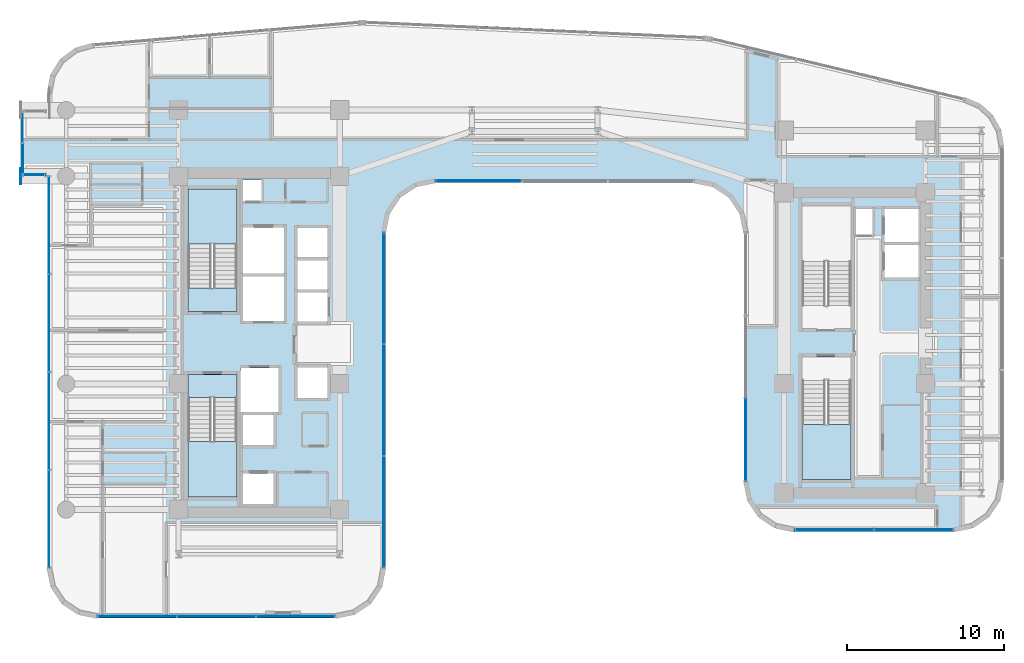
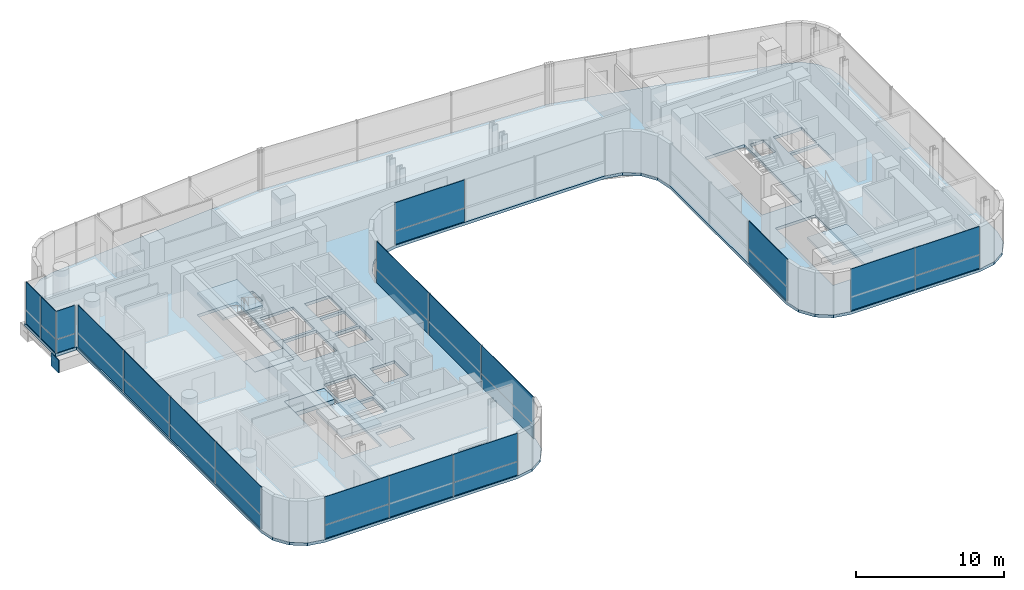
# One storey, part 25 of 35: 29 plates, 6 slabs, 11 elements without a shape of their own.
"""IFC4 building model written with IfcOpenShell, lengths in metres."""

from ifc_helpers import new_model, si_unit, direction, frame, origin, origin_2d, place, context, subcontext, project, spatial, polyline, rectangle, outline, extrude, source, transform, mapped, material, layer, layer_set, type_object, element, aggregate, save


model = new_model("IFC4")

# Units and contexts
model_context = context("Model", 3, precision=1e-05, world=origin(), true_north=direction((0.0, 1.0)))
body_context = subcontext(model_context, "Body", "Model", "MODEL_VIEW")
ifc_project = project(units=[si_unit("LENGTHUNIT", "METRE"), si_unit("AREAUNIT", "SQUARE_METRE"), si_unit("VOLUMEUNIT", "CUBIC_METRE"), si_unit("PLANEANGLEUNIT", "RADIAN"), si_unit("MASSUNIT", "GRAM", prefix="KILO")], contexts=[model_context])

# Site, building, storey
site_placement = place(None, origin())
site = spatial("IfcSite", under=ifc_project, at=site_placement, CompositionType="ELEMENT")
building_placement = place(site_placement, origin())
building = spatial("IfcBuilding", under=site, at=building_placement, Name="Valdorenza Pilgrim Sanctuary Tower", CompositionType="ELEMENT")
storey_placement = place(building_placement, frame((0.0, 0.0, 150.10009765625)))
storey = spatial("IfcBuildingStorey", under=building, at=storey_placement, Name="L38", CompositionType="ELEMENT", Elevation=150.10009765625)

# Slab
ifc_material_1 = material(Name="Concrete C40/50", Category="concrete")
ifc_layer_1 = layer(ifc_material_1, 0.239990234375, Name="Concrete C40/50")
ifc_layer_set_1 = layer_set([ifc_layer_1], Name="Concrete C40/50")
slab_type_1 = type_object("IfcSlabType", Name="SLAB-FLR-220", PredefinedType="FLOOR", material=ifc_layer_set_1)
slab_1_placement = place(storey_placement, frame((0.0, 0.0, -0.239990234375)))
element("IfcSlab", 1, at=slab_1_placement, inside=storey, type_object=slab_type_1, Name="L38 Structural Floor Slab 1", PredefinedType="FLOOR", context=body_context, shape_type="SweptSolid", body=[
    extrude(outline(polyline([(-30.78173828125, 17.022216796875), (-30.156494140625, 18.025390625), (-29.2099609375, 18.733154296875), (-28.071044921875, 19.049072265625), (-11.2080078125, 20.482421875), (-11.10400390625, 20.489501953125), (-10.895751953125, 20.49365234375), (10.6962890625, 19.513916015625), (10.847412109375, 19.50341796875), (10.998046875, 19.485595703125), (11.147705078125, 19.4609375), (11.2958984375, 19.42919921875), (27.344970703125, 15.587646484375), (28.323974609375, 15.17138671875), (29.1123046875, 14.45751953125), (29.623291015625, 13.5244140625), (29.800048828125, 12.4755859375), (29.800048828125, -8.800048828125), (29.556396484375, -10.024658203125), (28.86279296875, -11.062744140625), (27.82470703125, -11.75634765625), (26.60009765625, -12.0), (16.5, -12.0), (15.275390625, -11.75634765625), (14.2373046875, -11.062744140625), (13.543701171875, -10.024658203125), (13.300048828125, -8.800048828125), (13.300048828125, 7.0), (13.056396484375, 8.224609375), (12.36279296875, 9.2626953125), (11.32470703125, 9.956298828125), (10.10009765625, 10.199951171875), (-6.300048828125, 10.199951171875), (-7.524658203125, 9.956298828125), (-8.562744140625, 9.2626953125), (-9.25634765625, 8.224609375), (-9.5, 7.0), (-9.5, -14.300048828125), (-9.74365234375, -15.524658203125), (-10.437255859375, -16.562744140625), (-11.475341796875, -17.25634765625), (-12.699951171875, -17.5), (-27.800048828125, -17.5), (-29.024658203125, -17.25634765625), (-30.062744140625, -16.562744140625), (-30.75634765625, -15.524658203125), (-31.0, -14.300048828125), (-31.0, 10.60009765625), (-32.64990234375, 10.60009765625), (-32.64990234375, 14.800048828125), (-31.0, 14.800048828125), (-31.0, 15.860595703125), (-30.78173828125, 17.022216796875)]), holes=[polyline([(-16.60009765625, -10.25), (-16.60009765625, -8.300048828125), (-18.550048828125, -8.300048828125), (-18.550048828125, -10.25), (-16.60009765625, -10.25)]), polyline([(-22.050048828125, -9.800048828125), (-18.93994140625, -9.800048828125), (-18.93994140625, -3.485107421875), (-18.93994140625, -2.0), (-22.050048828125, -2.0), (-22.050048828125, -3.485107421875), (-22.050048828125, -9.800048828125)]), polyline([(-16.60009765625, -6.5), (-16.60009765625, -4.60009765625), (-18.550048828125, -4.60009765625), (-18.550048828125, -6.5), (-16.60009765625, -6.5)]), polyline([(-18.719970703125, -4.39990234375), (-16.300048828125, -4.39990234375), (-16.300048828125, -1.60009765625), (-18.719970703125, -1.60009765625), (-18.719970703125, -4.39990234375)]), polyline([(-13.179931640625, 1.35009765625), (-13.179931640625, 3.199951171875), (-15.10009765625, 3.199951171875), (-15.10009765625, 1.35009765625), (-13.179931640625, 1.35009765625)]), polyline([(-22.050048828125, 2.0), (-18.93994140625, 2.0), (-18.93994140625, 3.485107421875), (-18.93994140625, 9.800048828125), (-22.050048828125, 9.800048828125), (-22.050048828125, 3.485107421875), (-22.050048828125, 2.0)]), polyline([(-15.949951171875, 1.39990234375), (-15.949951171875, 4.22509765625), (-18.550048828125, 4.22509765625), (-18.550048828125, 1.39990234375), (-15.949951171875, 1.39990234375)]), polyline([(-18.550048828125, 4.425048828125), (-15.949951171875, 4.425048828125), (-15.949951171875, 7.35009765625), (-18.550048828125, 7.35009765625), (-18.550048828125, 4.425048828125)]), polyline([(-17.360107421875, 9.030029296875), (-17.360107421875, 10.35009765625), (-18.570068359375, 10.35009765625), (-18.570068359375, 9.030029296875), (-17.360107421875, 9.030029296875)]), polyline([(17.0, -8.699951171875), (20.110107421875, -8.699951171875), (20.110107421875, -2.385009765625), (20.110107421875, -0.89990234375), (17.0, -0.89990234375), (17.0, -2.385009765625), (17.0, -8.699951171875)]), polyline([(-13.179931640625, -3.5), (-13.179931640625, -1.550048828125), (-15.10009765625, -1.550048828125), (-15.10009765625, -3.5), (-13.179931640625, -3.5)]), polyline([(17.0, 0.89990234375), (20.110107421875, 0.89990234375), (20.110107421875, 2.385009765625), (20.110107421875, 8.699951171875), (17.0, 8.699951171875), (17.0, 2.385009765625), (17.0, 0.89990234375)]), polyline([(-13.179931640625, 3.39990234375), (-13.179931640625, 5.25), (-15.10009765625, 5.25), (-15.10009765625, 3.39990234375), (-13.179931640625, 3.39990234375)]), polyline([(22.25, 4.14990234375), (24.47998046875, 4.14990234375), (24.47998046875, 6.22509765625), (22.25, 6.22509765625), (22.25, 4.14990234375)]), polyline([(-13.179931640625, 5.449951171875), (-13.179931640625, 7.300048828125), (-15.10009765625, 7.300048828125), (-15.10009765625, 5.449951171875), (-13.179931640625, 5.449951171875)]), polyline([(22.25, 6.425048828125), (24.47998046875, 6.425048828125), (24.47998046875, 8.5), (22.25, 8.5), (22.25, 6.425048828125)]), polyline([(20.409912109375, 6.860107421875), (21.489990234375, 6.860107421875), (21.489990234375, 8.52001953125), (20.409912109375, 8.52001953125), (20.409912109375, 6.860107421875)])]), origin(), (0.0, 0.0, 1.0), 0.239990234375),
])

# Stair, slab
stair_type = type_object("IfcStairType", Name="STR-DOG-CORE", PredefinedType="HALF_TURN_STAIR", material=ifc_material_1)
stair_1_placement = place(storey_placement, origin())
stair_1 = element("IfcStair", 2, at=stair_1_placement, inside=storey, type_object=stair_type, Name="L38 ST-A1", PredefinedType="HALF_TURN_STAIR")
ifc_layer_2 = layer(ifc_material_1, 0.199951171875, Name="Concrete C40/50")
ifc_layer_set_2 = layer_set([ifc_layer_2], Name="Concrete C40/50")
slab_type_2 = type_object("IfcSlabType", Name="SLAB-STL-200", PredefinedType="LANDING", material=ifc_layer_set_2)
slab_2_placement = place(storey_placement, frame((0.0, 0.0, 1.64990234375)))
slab_2 = element("IfcSlab", 3, at=slab_2_placement, type_object=slab_type_2, Name="ST-A1 landing 1", PredefinedType="LANDING", context=body_context, shape_type="SweptSolid", body=[
    extrude(outline(polyline([(-18.93994140625, 6.280029296875), (-18.93994140625, 9.800048828125), (-22.050048828125, 9.800048828125), (-22.050048828125, 6.280029296875), (-18.93994140625, 6.280029296875)])), origin(), (0.0, 0.0, 1.0), 0.199951171875),
])
aggregate(stair_1, [slab_2])

stair_2_placement = place(storey_placement, origin())
stair_2 = element("IfcStair", 4, at=stair_2_placement, inside=storey, type_object=stair_type, Name="L38 ST-A2", PredefinedType="HALF_TURN_STAIR")
slab_3_placement = place(storey_placement, frame((0.0, 0.0, 1.64990234375)))
slab_3 = element("IfcSlab", 5, at=slab_3_placement, type_object=slab_type_2, Name="ST-A2 landing 1", PredefinedType="LANDING", context=body_context, shape_type="SweptSolid", body=[
    extrude(outline(polyline([(-22.050048828125, -6.280029296875), (-22.050048828125, -9.800048828125), (-18.93994140625, -9.800048828125), (-18.93994140625, -6.280029296875), (-22.050048828125, -6.280029296875)])), origin(), (0.0, 0.0, 1.0), 0.199951171875),
])
aggregate(stair_2, [slab_3])

stair_3_placement = place(storey_placement, origin())
stair_3 = element("IfcStair", 6, at=stair_3_placement, inside=storey, type_object=stair_type, Name="L38 ST-B2", PredefinedType="HALF_TURN_STAIR")
slab_4_placement = place(storey_placement, frame((0.0, 0.0, 1.64990234375)))
slab_4 = element("IfcSlab", 7, at=slab_4_placement, type_object=slab_type_2, Name="ST-B2 landing 1", PredefinedType="LANDING", context=body_context, shape_type="SweptSolid", body=[
    extrude(outline(polyline([(17.0, -5.179931640625), (17.0, -8.699951171875), (20.110107421875, -8.699951171875), (20.110107421875, -5.179931640625), (17.0, -5.179931640625)])), origin(), (0.0, 0.0, 1.0), 0.199951171875),
])
aggregate(stair_3, [slab_4])

# Slabs
ifc_material_2 = material(Name="Concrete C50/60", Category="concrete")
ifc_layer_3 = layer(ifc_material_2, 0.39990234375, Name="Concrete C50/60")
ifc_layer_set_3 = layer_set([ifc_layer_3], Name="Concrete C50/60")
slab_type_3 = type_object("IfcSlabType", Name="SLAB-TRF-400", PredefinedType="FLOOR", material=ifc_layer_set_3)
slab_5_placement = place(storey_placement, frame((0.0, 0.0, -0.360107421875)))
element("IfcSlab", 8, at=slab_5_placement, inside=storey, type_object=slab_type_3, Name="L38 ST-A1 Structural Stair Landing Bearing Slab", PredefinedType="FLOOR", context=body_context, shape_type="SweptSolid", body=[
    extrude(outline(polyline([(-22.050048828125, 2.0), (-18.93994140625, 2.0), (-18.93994140625, 3.485107421875), (-22.050048828125, 3.485107421875), (-22.050048828125, 2.0)])), origin(), (0.0, 0.0, 1.0), 0.360107421875),
])
slab_6_placement = place(storey_placement, frame((0.0, 0.0, -0.360107421875)))
element("IfcSlab", 9, at=slab_6_placement, inside=storey, type_object=slab_type_3, Name="L38 ST-A2 Structural Stair Landing Bearing Slab", PredefinedType="FLOOR", context=body_context, shape_type="SweptSolid", body=[
    extrude(outline(polyline([(-22.050048828125, -3.485107421875), (-18.93994140625, -3.485107421875), (-18.93994140625, -2.0), (-22.050048828125, -2.0), (-22.050048828125, -3.485107421875)])), origin(), (0.0, 0.0, 1.0), 0.360107421875),
])

# Plate
ifc_material_3 = material(Name="Steel ASTM A572 Grade 42", Category="steel")
ifc_layer_4 = layer(ifc_material_3, 0.06005859375, Name="Steel ASTM A572 Grade 42")
ifc_layer_set_4 = layer_set([ifc_layer_4], Name="Steel ASTM A572 Grade 42")
plate_type_1 = type_object("IfcPlateType", Name="PLT-CAP-60", PredefinedType="SHEET", material=ifc_layer_set_4)
shared_shape_1 = source(origin(), body_context, "Body", "SweptSolid", [
    extrude(rectangle(XDim=0.06005859375, YDim=1.0400390625, at=origin_2d()), origin(), (0.0, 0.0, 1.0), 1.0400390625),
])
plate_1_placement = place(storey_placement, frame((-32.679931640625, 10.60009765625, -1.260009765625), z_axis=(0.0, 0.0, 1.0), x_axis=(1.0, 0.0, 0.0)))
element("IfcPlate", 10, at=plate_1_placement, inside=storey, type_object=plate_type_1, Name="L38 BOX-WA-L38 Cantilever Tip End Cap S", PredefinedType="SHEET", context=body_context, shape_type="MappedRepresentation", body=[
    mapped(shared_shape_1, transform((0.0, 0.0, 0.0), x_axis=(1.0, 0.0, 0.0), y_axis=(0.0, 1.0, 0.0), z_axis=(0.0, 0.0, 1.0), scale=1.0)),
])

# Curtain wall, plates
ifc_material_4 = material(Name="Curtain-wall IGU glazing", Category="glass")
curtain_wall_type_1 = type_object("IfcCurtainWallType", Name="CW-SYS-02", PredefinedType="NOTDEFINED", material=ifc_material_4)
curtain_wall_1_placement = place(storey_placement, origin())
curtain_wall_1 = element("IfcCurtainWall", 11, at=curtain_wall_1_placement, inside=storey, type_object=curtain_wall_type_1, Name="L38 Curtain Wall CW-L38-1-36", PredefinedType="NOTDEFINED")
ifc_material_5 = material(Name="Honed travertine limestone", Category="masonry")
ifc_layer_5 = layer(ifc_material_5, 0.050048828125, Name="Honed travertine limestone")
ifc_layer_set_5 = layer_set([ifc_layer_5], Name="Honed travertine limestone")
plate_type_2 = type_object("IfcPlateType", Name="CW-SPN-TRV", PredefinedType="USERDEFINED", material=ifc_layer_set_5)
shared_shape_2 = source(origin(), body_context, "Body", "SweptSolid", [
    extrude(rectangle(XDim=5.453857421875, YDim=0.06005859375, at=origin_2d()), origin(), (0.0, 0.0, 1.0), 1.10009765625),
])
plate_2_placement = place(storey_placement, frame((-3.573974609375, 10.31005859375, 0.009765625), z_axis=(0.0, 0.0, 1.0), x_axis=(-1.0, 0.0, 0.0)))
plate_2 = element("IfcPlate", 12, at=plate_2_placement, type_object=plate_type_2, Name="CW-L38-1-36 Travertine Spandrel 3", ObjectType="SPANDREL", PredefinedType="USERDEFINED", context=body_context, shape_type="MappedRepresentation", body=[
    mapped(shared_shape_2, transform((0.0, 0.0, 0.0), x_axis=(1.0, 0.0, 0.0), y_axis=(0.0, 1.0, 0.0), z_axis=(0.0, 0.0, 1.0), scale=1.0)),
])
ifc_material_6 = material(Name="Ceramic-fritted low-E IGU glazing", Category="glass")
ifc_layer_6 = layer(ifc_material_6, 0.035888671875, Name="Ceramic-fritted low-E IGU glazing")
ifc_layer_set_6 = layer_set([ifc_layer_6], Name="Ceramic-fritted low-E IGU glazing")
plate_type_3 = type_object("IfcPlateType", Name="CW-GLZ-IGU", PredefinedType="USERDEFINED", material=ifc_layer_set_6)
shared_shape_3 = source(origin(), body_context, "Body", "SweptSolid", [
    extrude(rectangle(XDim=5.453857421875, YDim=0.050048828125, at=origin_2d()), origin(), (0.0, 0.0, 1.0), 2.320068359375),
])
plate_3_placement = place(storey_placement, frame((-3.573974609375, 10.31005859375, 1.1298828125), z_axis=(0.0, 0.0, 1.0), x_axis=(-1.0, 0.0, 0.0)))
plate_3 = element("IfcPlate", 13, at=plate_3_placement, type_object=plate_type_3, Name="CW-L38-1-36 Facade Panel 3", ObjectType="GLAZING", PredefinedType="USERDEFINED", context=body_context, shape_type="MappedRepresentation", body=[
    mapped(shared_shape_3, transform((0.0, 0.0, 0.0), x_axis=(1.0, 0.0, 0.0), y_axis=(0.0, 1.0, 0.0), z_axis=(0.0, 0.0, 1.0), scale=1.0)),
])
aggregate(curtain_wall_1, [plate_2, plate_3])

curtain_wall_2_placement = place(storey_placement, origin())
curtain_wall_2 = element("IfcCurtainWall", 14, at=curtain_wall_2_placement, inside=storey, type_object=curtain_wall_type_1, Name="L38 Curtain Wall CW-L38-BOX-WA-L38-S", PredefinedType="NOTDEFINED")
shared_shape_4 = source(origin(), body_context, "Body", "SweptSolid", [
    extrude(rectangle(XDim=1.43994140625, YDim=0.06005859375, at=origin_2d()), origin(), (0.0, 0.0, 1.0), 1.10009765625),
])
plate_4_placement = place(storey_placement, frame((-31.840087890625, 10.679931640625, 0.009765625), z_axis=(0.0, 0.0, 1.0), x_axis=(-1.0, 0.0, 0.0)))
plate_4 = element("IfcPlate", 15, at=plate_4_placement, type_object=plate_type_2, Name="CW-L38-BOX-WA-L38-S Travertine Spandrel 1", ObjectType="SPANDREL", PredefinedType="USERDEFINED", context=body_context, shape_type="MappedRepresentation", body=[
    mapped(shared_shape_4, transform((0.0, 0.0, 0.0), x_axis=(1.0, 0.0, 0.0), y_axis=(0.0, 1.0, 0.0), z_axis=(0.0, 0.0, 1.0), scale=1.0)),
])
shared_shape_5 = source(origin(), body_context, "Body", "SweptSolid", [
    extrude(rectangle(XDim=1.43994140625, YDim=0.050048828125, at=origin_2d()), origin(), (0.0, 0.0, 1.0), 2.320068359375),
])
plate_5_placement = place(storey_placement, frame((-31.840087890625, 10.679931640625, 1.1298828125), z_axis=(0.0, 0.0, 1.0), x_axis=(-1.0, 0.0, 0.0)))
plate_5 = element("IfcPlate", 16, at=plate_5_placement, type_object=plate_type_3, Name="CW-L38-BOX-WA-L38-S Facade Panel 1", ObjectType="GLAZING", PredefinedType="USERDEFINED", context=body_context, shape_type="MappedRepresentation", body=[
    mapped(shared_shape_5, transform((0.0, 0.0, 0.0), x_axis=(1.0, 0.0, 0.0), y_axis=(0.0, 1.0, 0.0), z_axis=(0.0, 0.0, 1.0), scale=1.0)),
])
aggregate(curtain_wall_2, [plate_4, plate_5])

curtain_wall_3_placement = place(storey_placement, origin())
curtain_wall_3 = element("IfcCurtainWall", 17, at=curtain_wall_3_placement, inside=storey, type_object=curtain_wall_type_1, Name="L38 Curtain Wall CW-L38-BOX-WA-L38-F", PredefinedType="NOTDEFINED")
shared_shape_6 = source(origin(), body_context, "Body", "SweptSolid", [
    extrude(rectangle(XDim=2.0, YDim=0.06005859375, at=origin_2d()), origin(), (0.0, 0.0, 1.0), 1.10009765625),
])
plate_6_placement = place(storey_placement, frame((-32.570068359375, 11.68994140625, 0.009765625), z_axis=(0.0, 0.0, 1.0), x_axis=(0.0, 1.0, 0.0)))
plate_6 = element("IfcPlate", 18, at=plate_6_placement, type_object=plate_type_2, Name="CW-L38-BOX-WA-L38-F Travertine Spandrel 1", ObjectType="SPANDREL", PredefinedType="USERDEFINED", context=body_context, shape_type="MappedRepresentation", body=[
    mapped(shared_shape_6, transform((0.0, 0.0, 0.0), x_axis=(1.0, 0.0, 0.0), y_axis=(0.0, 1.0, 0.0), z_axis=(0.0, 0.0, 1.0), scale=1.0)),
])
shared_shape_7 = source(origin(), body_context, "Body", "SweptSolid", [
    extrude(rectangle(XDim=2.0, YDim=0.050048828125, at=origin_2d()), origin(), (0.0, 0.0, 1.0), 2.320068359375),
])
plate_7_placement = place(storey_placement, frame((-32.570068359375, 11.68994140625, 1.1298828125), z_axis=(0.0, 0.0, 1.0), x_axis=(0.0, 1.0, 0.0)))
plate_7 = element("IfcPlate", 19, at=plate_7_placement, type_object=plate_type_3, Name="CW-L38-BOX-WA-L38-F Facade Panel 1", ObjectType="GLAZING", PredefinedType="USERDEFINED", context=body_context, shape_type="MappedRepresentation", body=[
    mapped(shared_shape_7, transform((0.0, 0.0, 0.0), x_axis=(1.0, 0.0, 0.0), y_axis=(0.0, 1.0, 0.0), z_axis=(0.0, 0.0, 1.0), scale=1.0)),
])
shared_shape_8 = source(origin(), body_context, "Body", "SweptSolid", [
    extrude(rectangle(XDim=2.0, YDim=0.050048828125, at=origin_2d()), origin(), (0.0, 0.0, 1.0), 3.43994140625),
])
plate_8_placement = place(storey_placement, frame((-32.570068359375, 13.7099609375, 0.010009765625), z_axis=(0.0, 0.0, 1.0), x_axis=(0.0, 1.0, 0.0)))
plate_8 = element("IfcPlate", 20, at=plate_8_placement, type_object=plate_type_3, Name="CW-L38-BOX-WA-L38-F Full-Height Facade Panel 2", ObjectType="GLAZING", PredefinedType="USERDEFINED", context=body_context, shape_type="MappedRepresentation", body=[
    mapped(shared_shape_8, transform((0.0, 0.0, 0.0), x_axis=(1.0, 0.0, 0.0), y_axis=(0.0, 1.0, 0.0), z_axis=(0.0, 0.0, 1.0), scale=1.0)),
])
aggregate(curtain_wall_3, [plate_6, plate_7, plate_8])

# Curtain wall, plate
curtain_wall_type_2 = type_object("IfcCurtainWallType", Name="CW-SYS-03", PredefinedType="NOTDEFINED", material=ifc_material_4)
curtain_wall_4_placement = place(storey_placement, origin())
curtain_wall_4 = element("IfcCurtainWall", 21, at=curtain_wall_4_placement, inside=storey, type_object=curtain_wall_type_2, Name="L38 Curtain Wall CW-L38-1-26", PredefinedType="NOTDEFINED")
shared_shape_9 = source(origin(), body_context, "Body", "SweptSolid", [
    extrude(rectangle(XDim=5.019287109375, YDim=0.06005859375, at=origin_2d()), origin(), (0.0, 0.0, 1.0), 1.10009765625),
])
plate_9_placement = place(storey_placement, frame((24.069580078125, -11.889892578125, 0.009765625), z_axis=(0.0, 0.0, 1.0), x_axis=(-1.0, 0.0, 0.0)))
plate_9 = element("IfcPlate", 22, at=plate_9_placement, type_object=plate_type_2, Name="CW-L38-1-26 Travertine Spandrel 1", ObjectType="SPANDREL", PredefinedType="USERDEFINED", context=body_context, shape_type="MappedRepresentation", body=[
    mapped(shared_shape_9, transform((0.0, 0.0, 0.0), x_axis=(1.0, 0.0, 0.0), y_axis=(0.0, 1.0, 0.0), z_axis=(0.0, 0.0, 1.0), scale=1.0)),
])

curtain_wall_5_placement = place(storey_placement, origin())
curtain_wall_5 = element("IfcCurtainWall", 23, at=curtain_wall_5_placement, inside=storey, type_object=curtain_wall_type_2, Name="L38 Curtain Wall CW-L38-1-31", PredefinedType="NOTDEFINED")
shared_shape_10 = source(origin(), body_context, "Body", "SweptSolid", [
    extrude(rectangle(XDim=5.24658203125, YDim=0.06005859375, at=origin_2d()), origin(), (0.0, 0.0, 1.0), 1.10009765625),
])
plate_10_placement = place(storey_placement, frame((13.409912109375, -6.156005859375, 0.009765625), z_axis=(0.0, 0.0, 1.0), x_axis=(0.0, 1.0, 0.0)))
plate_10 = element("IfcPlate", 24, at=plate_10_placement, type_object=plate_type_2, Name="CW-L38-1-31 Travertine Spandrel 1", ObjectType="SPANDREL", PredefinedType="USERDEFINED", context=body_context, shape_type="MappedRepresentation", body=[
    mapped(shared_shape_10, transform((0.0, 0.0, 0.0), x_axis=(1.0, 0.0, 0.0), y_axis=(0.0, 1.0, 0.0), z_axis=(0.0, 0.0, 1.0), scale=1.0)),
])

# Curtain wall, plates
curtain_wall_6_placement = place(storey_placement, origin())
curtain_wall_6 = element("IfcCurtainWall", 25, at=curtain_wall_6_placement, inside=storey, type_object=curtain_wall_type_1, Name="L38 Curtain Wall CW-L38-1-41", PredefinedType="NOTDEFINED")
shared_shape_11 = source(origin(), body_context, "Body", "SweptSolid", [
    extrude(rectangle(XDim=7.080078125, YDim=0.06005859375, at=origin_2d()), origin(), (0.0, 0.0, 1.0), 1.10009765625),
])
plate_11_placement = place(storey_placement, frame((-9.610107421875, 3.460693359375, 0.009765625), z_axis=(0.0, 0.0, 1.0), x_axis=(0.0, -1.0, 0.0)))
plate_11 = element("IfcPlate", 26, at=plate_11_placement, type_object=plate_type_2, Name="CW-L38-1-41 Travertine Spandrel 1", ObjectType="SPANDREL", PredefinedType="USERDEFINED", context=body_context, shape_type="MappedRepresentation", body=[
    mapped(shared_shape_11, transform((0.0, 0.0, 0.0), x_axis=(1.0, 0.0, 0.0), y_axis=(0.0, 1.0, 0.0), z_axis=(0.0, 0.0, 1.0), scale=1.0)),
])
plate_12_placement = place(storey_placement, frame((-9.610107421875, -10.7392578125, 0.009765625), z_axis=(0.0, 0.0, 1.0), x_axis=(0.0, -1.0, 0.0)))
plate_12 = element("IfcPlate", 27, at=plate_12_placement, type_object=plate_type_2, Name="CW-L38-1-41 Travertine Spandrel 3", ObjectType="SPANDREL", PredefinedType="USERDEFINED", context=body_context, shape_type="MappedRepresentation", body=[
    mapped(shared_shape_11, transform((0.0, 0.0, 0.0), x_axis=(1.0, 0.0, 0.0), y_axis=(0.0, 1.0, 0.0), z_axis=(0.0, 0.0, 1.0), scale=1.0)),
])

# Plate
shared_shape_12 = source(origin(), body_context, "Body", "SweptSolid", [
    extrude(rectangle(XDim=5.019287109375, YDim=0.050048828125, at=origin_2d()), origin(), (0.0, 0.0, 1.0), 2.320068359375),
])
plate_13_placement = place(storey_placement, frame((24.069580078125, -11.889892578125, 1.1298828125), z_axis=(0.0, 0.0, 1.0), x_axis=(-1.0, 0.0, 0.0)))
plate_13 = element("IfcPlate", 28, at=plate_13_placement, type_object=plate_type_3, Name="CW-L38-1-26 Facade Panel 1", ObjectType="GLAZING", PredefinedType="USERDEFINED", context=body_context, shape_type="MappedRepresentation", body=[
    mapped(shared_shape_12, transform((0.0, 0.0, 0.0), x_axis=(1.0, 0.0, 0.0), y_axis=(0.0, 1.0, 0.0), z_axis=(0.0, 0.0, 1.0), scale=1.0)),
])

shared_shape_13 = source(origin(), body_context, "Body", "SweptSolid", [
    extrude(rectangle(XDim=5.019287109375, YDim=0.050048828125, at=origin_2d()), origin(), (0.0, 0.0, 1.0), 3.43994140625),
])
plate_14_placement = place(storey_placement, frame((19.030517578125, -11.889892578125, 0.010009765625), z_axis=(0.0, 0.0, 1.0), x_axis=(-1.0, 0.0, 0.0)))
plate_14 = element("IfcPlate", 29, at=plate_14_placement, type_object=plate_type_3, Name="CW-L38-1-26 Full-Height Facade Panel 2", ObjectType="GLAZING", PredefinedType="USERDEFINED", context=body_context, shape_type="MappedRepresentation", body=[
    mapped(shared_shape_13, transform((0.0, 0.0, 0.0), x_axis=(1.0, 0.0, 0.0), y_axis=(0.0, 1.0, 0.0), z_axis=(0.0, 0.0, 1.0), scale=1.0)),
])

aggregate(curtain_wall_4, [plate_9, plate_13, plate_14])

shared_shape_14 = source(origin(), body_context, "Body", "SweptSolid", [
    extrude(rectangle(XDim=5.24658203125, YDim=0.050048828125, at=origin_2d()), origin(), (0.0, 0.0, 1.0), 2.320068359375),
])
plate_15_placement = place(storey_placement, frame((13.409912109375, -6.156005859375, 1.1298828125), z_axis=(0.0, 0.0, 1.0), x_axis=(0.0, 1.0, 0.0)))
plate_15 = element("IfcPlate", 30, at=plate_15_placement, type_object=plate_type_3, Name="CW-L38-1-31 Facade Panel 1", ObjectType="GLAZING", PredefinedType="USERDEFINED", context=body_context, shape_type="MappedRepresentation", body=[
    mapped(shared_shape_14, transform((0.0, 0.0, 0.0), x_axis=(1.0, 0.0, 0.0), y_axis=(0.0, 1.0, 0.0), z_axis=(0.0, 0.0, 1.0), scale=1.0)),
])

aggregate(curtain_wall_5, [plate_10, plate_15])

shared_shape_15 = source(origin(), body_context, "Body", "SweptSolid", [
    extrude(rectangle(XDim=7.080078125, YDim=0.050048828125, at=origin_2d()), origin(), (0.0, 0.0, 1.0), 2.320068359375),
])
plate_16_placement = place(storey_placement, frame((-9.610107421875, 3.460693359375, 1.1298828125), z_axis=(0.0, 0.0, 1.0), x_axis=(0.0, -1.0, 0.0)))
plate_16 = element("IfcPlate", 31, at=plate_16_placement, type_object=plate_type_3, Name="CW-L38-1-41 Facade Panel 1", ObjectType="GLAZING", PredefinedType="USERDEFINED", context=body_context, shape_type="MappedRepresentation", body=[
    mapped(shared_shape_15, transform((0.0, 0.0, 0.0), x_axis=(1.0, 0.0, 0.0), y_axis=(0.0, 1.0, 0.0), z_axis=(0.0, 0.0, 1.0), scale=1.0)),
])

plate_17_placement = place(storey_placement, frame((-9.610107421875, -10.7392578125, 1.1298828125), z_axis=(0.0, 0.0, 1.0), x_axis=(0.0, -1.0, 0.0)))
plate_17 = element("IfcPlate", 32, at=plate_17_placement, type_object=plate_type_3, Name="CW-L38-1-41 Facade Panel 3", ObjectType="GLAZING", PredefinedType="USERDEFINED", context=body_context, shape_type="MappedRepresentation", body=[
    mapped(shared_shape_15, transform((0.0, 0.0, 0.0), x_axis=(1.0, 0.0, 0.0), y_axis=(0.0, 1.0, 0.0), z_axis=(0.0, 0.0, 1.0), scale=1.0)),
])

shared_shape_16 = source(origin(), body_context, "Body", "SweptSolid", [
    extrude(rectangle(XDim=7.080078125, YDim=0.050048828125, at=origin_2d()), origin(), (0.0, 0.0, 1.0), 3.43994140625),
])
plate_18_placement = place(storey_placement, frame((-9.610107421875, -3.63916015625, 0.010009765625), z_axis=(0.0, 0.0, 1.0), x_axis=(0.0, -1.0, 0.0)))
plate_18 = element("IfcPlate", 33, at=plate_18_placement, type_object=plate_type_3, Name="CW-L38-1-41 Full-Height Facade Panel 2", ObjectType="GLAZING", PredefinedType="USERDEFINED", context=body_context, shape_type="MappedRepresentation", body=[
    mapped(shared_shape_16, transform((0.0, 0.0, 0.0), x_axis=(1.0, 0.0, 0.0), y_axis=(0.0, 1.0, 0.0), z_axis=(0.0, 0.0, 1.0), scale=1.0)),
])

aggregate(curtain_wall_6, [plate_11, plate_16, plate_18, plate_12, plate_17])

# Curtain wall, plates
curtain_wall_7_placement = place(storey_placement, origin())
curtain_wall_7 = element("IfcCurtainWall", 34, at=curtain_wall_7_placement, inside=storey, type_object=curtain_wall_type_1, Name="L38 Curtain Wall CW-L38-1-46", PredefinedType="NOTDEFINED")
shared_shape_17 = source(origin(), body_context, "Body", "SweptSolid", [
    extrude(rectangle(XDim=5.006103515625, YDim=0.06005859375, at=origin_2d()), origin(), (0.0, 0.0, 1.0), 1.10009765625),
])
plate_19_placement = place(storey_placement, frame((-15.223876953125, -17.389892578125, 0.009765625), z_axis=(0.0, 0.0, 1.0), x_axis=(-1.0, 0.0, 0.0)))
plate_19 = element("IfcPlate", 35, at=plate_19_placement, type_object=plate_type_2, Name="CW-L38-1-46 Travertine Spandrel 1", ObjectType="SPANDREL", PredefinedType="USERDEFINED", context=body_context, shape_type="MappedRepresentation", body=[
    mapped(shared_shape_17, transform((0.0, 0.0, 0.0), x_axis=(1.0, 0.0, 0.0), y_axis=(0.0, 1.0, 0.0), z_axis=(0.0, 0.0, 1.0), scale=1.0)),
])
plate_20_placement = place(storey_placement, frame((-25.276123046875, -17.389892578125, 0.009765625), z_axis=(0.0, 0.0, 1.0), x_axis=(-1.0, 0.0, 0.0)))
plate_20 = element("IfcPlate", 36, at=plate_20_placement, type_object=plate_type_2, Name="CW-L38-1-46 Travertine Spandrel 3", ObjectType="SPANDREL", PredefinedType="USERDEFINED", context=body_context, shape_type="MappedRepresentation", body=[
    mapped(shared_shape_17, transform((0.0, 0.0, 0.0), x_axis=(1.0, 0.0, 0.0), y_axis=(0.0, 1.0, 0.0), z_axis=(0.0, 0.0, 1.0), scale=1.0)),
])
shared_shape_18 = source(origin(), body_context, "Body", "SweptSolid", [
    extrude(rectangle(XDim=5.006103515625, YDim=0.050048828125, at=origin_2d()), origin(), (0.0, 0.0, 1.0), 2.320068359375),
])
plate_21_placement = place(storey_placement, frame((-15.223876953125, -17.389892578125, 1.1298828125), z_axis=(0.0, 0.0, 1.0), x_axis=(-1.0, 0.0, 0.0)))
plate_21 = element("IfcPlate", 37, at=plate_21_placement, type_object=plate_type_3, Name="CW-L38-1-46 Facade Panel 1", ObjectType="GLAZING", PredefinedType="USERDEFINED", context=body_context, shape_type="MappedRepresentation", body=[
    mapped(shared_shape_18, transform((0.0, 0.0, 0.0), x_axis=(1.0, 0.0, 0.0), y_axis=(0.0, 1.0, 0.0), z_axis=(0.0, 0.0, 1.0), scale=1.0)),
])
plate_22_placement = place(storey_placement, frame((-25.276123046875, -17.389892578125, 1.1298828125), z_axis=(0.0, 0.0, 1.0), x_axis=(-1.0, 0.0, 0.0)))
plate_22 = element("IfcPlate", 38, at=plate_22_placement, type_object=plate_type_3, Name="CW-L38-1-46 Facade Panel 3", ObjectType="GLAZING", PredefinedType="USERDEFINED", context=body_context, shape_type="MappedRepresentation", body=[
    mapped(shared_shape_18, transform((0.0, 0.0, 0.0), x_axis=(1.0, 0.0, 0.0), y_axis=(0.0, 1.0, 0.0), z_axis=(0.0, 0.0, 1.0), scale=1.0)),
])
shared_shape_19 = source(origin(), body_context, "Body", "SweptSolid", [
    extrude(rectangle(XDim=5.006103515625, YDim=0.050048828125, at=origin_2d()), origin(), (0.0, 0.0, 1.0), 3.43994140625),
])
plate_23_placement = place(storey_placement, frame((-20.25, -17.389892578125, 0.010009765625), z_axis=(0.0, 0.0, 1.0), x_axis=(-1.0, 0.0, 0.0)))
plate_23 = element("IfcPlate", 39, at=plate_23_placement, type_object=plate_type_3, Name="CW-L38-1-46 Full-Height Facade Panel 2", ObjectType="GLAZING", PredefinedType="USERDEFINED", context=body_context, shape_type="MappedRepresentation", body=[
    mapped(shared_shape_19, transform((0.0, 0.0, 0.0), x_axis=(1.0, 0.0, 0.0), y_axis=(0.0, 1.0, 0.0), z_axis=(0.0, 0.0, 1.0), scale=1.0)),
])
aggregate(curtain_wall_7, [plate_19, plate_21, plate_23, plate_20, plate_22])

curtain_wall_8_placement = place(storey_placement, origin())
curtain_wall_8 = element("IfcCurtainWall", 40, at=curtain_wall_8_placement, inside=storey, type_object=curtain_wall_type_1, Name="L38 Curtain Wall CW-L38-1-1S1", PredefinedType="NOTDEFINED")
shared_shape_20 = source(origin(), body_context, "Body", "SweptSolid", [
    extrude(rectangle(XDim=6.202392578125, YDim=0.06005859375, at=origin_2d()), origin(), (0.0, 0.0, 1.0), 1.10009765625),
])
plate_24_placement = place(storey_placement, frame((-30.889892578125, -11.177978515625, 0.009765625), z_axis=(0.0, 0.0, 1.0), x_axis=(0.0, 1.0, 0.0)))
plate_24 = element("IfcPlate", 41, at=plate_24_placement, type_object=plate_type_2, Name="CW-L38-1-1S1 Travertine Spandrel 1", ObjectType="SPANDREL", PredefinedType="USERDEFINED", context=body_context, shape_type="MappedRepresentation", body=[
    mapped(shared_shape_20, transform((0.0, 0.0, 0.0), x_axis=(1.0, 0.0, 0.0), y_axis=(0.0, 1.0, 0.0), z_axis=(0.0, 0.0, 1.0), scale=1.0)),
])
plate_25_placement = place(storey_placement, frame((-30.889892578125, 1.2666015625, 0.009765625), z_axis=(0.0, 0.0, 1.0), x_axis=(0.0, 1.0, 0.0)))
plate_25 = element("IfcPlate", 42, at=plate_25_placement, type_object=plate_type_2, Name="CW-L38-1-1S1 Travertine Spandrel 3", ObjectType="SPANDREL", PredefinedType="USERDEFINED", context=body_context, shape_type="MappedRepresentation", body=[
    mapped(shared_shape_20, transform((0.0, 0.0, 0.0), x_axis=(1.0, 0.0, 0.0), y_axis=(0.0, 1.0, 0.0), z_axis=(0.0, 0.0, 1.0), scale=1.0)),
])
shared_shape_21 = source(origin(), body_context, "Body", "SweptSolid", [
    extrude(rectangle(XDim=6.202392578125, YDim=0.050048828125, at=origin_2d()), origin(), (0.0, 0.0, 1.0), 2.320068359375),
])
plate_26_placement = place(storey_placement, frame((-30.889892578125, -11.177978515625, 1.1298828125), z_axis=(0.0, 0.0, 1.0), x_axis=(0.0, 1.0, 0.0)))
plate_26 = element("IfcPlate", 43, at=plate_26_placement, type_object=plate_type_3, Name="CW-L38-1-1S1 Facade Panel 1", ObjectType="GLAZING", PredefinedType="USERDEFINED", context=body_context, shape_type="MappedRepresentation", body=[
    mapped(shared_shape_21, transform((0.0, 0.0, 0.0), x_axis=(1.0, 0.0, 0.0), y_axis=(0.0, 1.0, 0.0), z_axis=(0.0, 0.0, 1.0), scale=1.0)),
])
plate_27_placement = place(storey_placement, frame((-30.889892578125, 1.2666015625, 1.1298828125), z_axis=(0.0, 0.0, 1.0), x_axis=(0.0, 1.0, 0.0)))
plate_27 = element("IfcPlate", 44, at=plate_27_placement, type_object=plate_type_3, Name="CW-L38-1-1S1 Facade Panel 3", ObjectType="GLAZING", PredefinedType="USERDEFINED", context=body_context, shape_type="MappedRepresentation", body=[
    mapped(shared_shape_21, transform((0.0, 0.0, 0.0), x_axis=(1.0, 0.0, 0.0), y_axis=(0.0, 1.0, 0.0), z_axis=(0.0, 0.0, 1.0), scale=1.0)),
])
shared_shape_22 = source(origin(), body_context, "Body", "SweptSolid", [
    extrude(rectangle(XDim=6.202392578125, YDim=0.050048828125, at=origin_2d()), origin(), (0.0, 0.0, 1.0), 3.43994140625),
])
plate_28_placement = place(storey_placement, frame((-30.889892578125, -4.955810546875, 0.010009765625), z_axis=(0.0, 0.0, 1.0), x_axis=(0.0, 1.0, 0.0)))
plate_28 = element("IfcPlate", 45, at=plate_28_placement, type_object=plate_type_3, Name="CW-L38-1-1S1 Full-Height Facade Panel 2", ObjectType="GLAZING", PredefinedType="USERDEFINED", context=body_context, shape_type="MappedRepresentation", body=[
    mapped(shared_shape_22, transform((0.0, 0.0, 0.0), x_axis=(1.0, 0.0, 0.0), y_axis=(0.0, 1.0, 0.0), z_axis=(0.0, 0.0, 1.0), scale=1.0)),
])
plate_29_placement = place(storey_placement, frame((-30.889892578125, 7.489013671875, 0.010009765625), z_axis=(0.0, 0.0, 1.0), x_axis=(0.0, 1.0, 0.0)))
plate_29 = element("IfcPlate", 46, at=plate_29_placement, type_object=plate_type_3, Name="CW-L38-1-1S1 Full-Height Facade Panel 4", ObjectType="GLAZING", PredefinedType="USERDEFINED", context=body_context, shape_type="MappedRepresentation", body=[
    mapped(shared_shape_22, transform((0.0, 0.0, 0.0), x_axis=(1.0, 0.0, 0.0), y_axis=(0.0, 1.0, 0.0), z_axis=(0.0, 0.0, 1.0), scale=1.0)),
])
aggregate(curtain_wall_8, [plate_24, plate_26, plate_28, plate_25, plate_27, plate_29])

save(model, "model.ifc")
